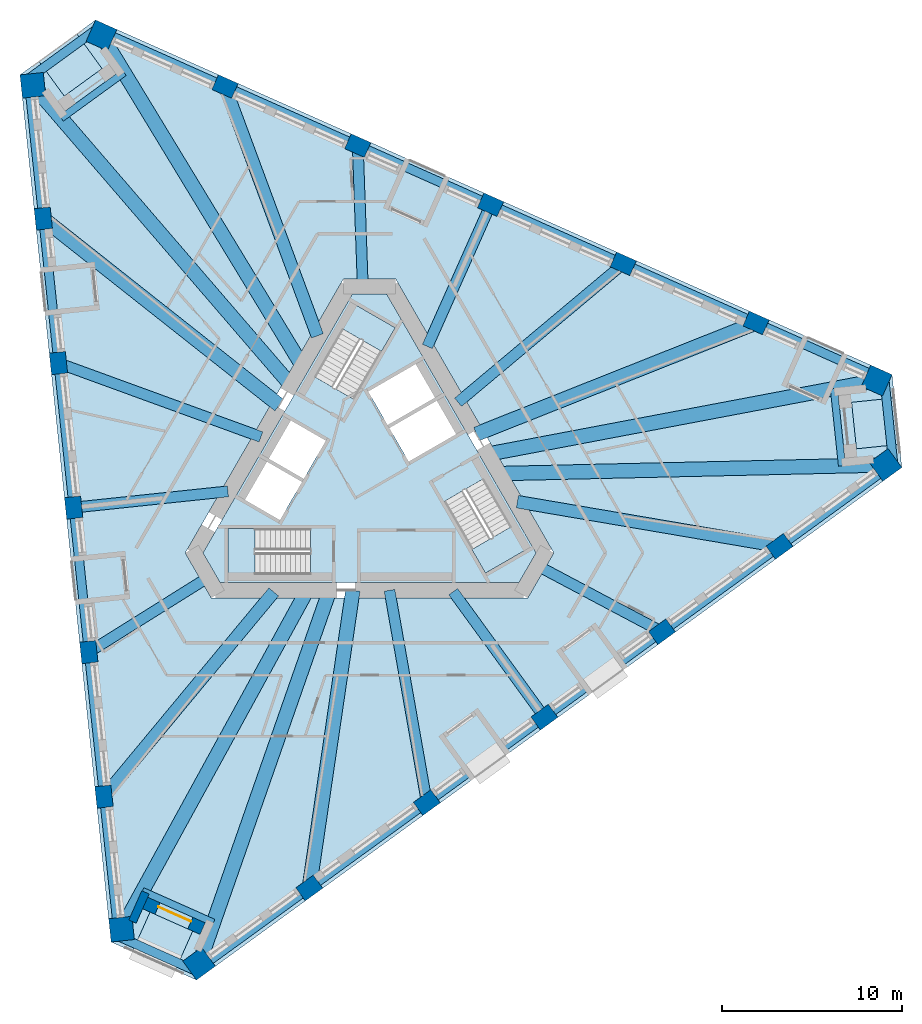
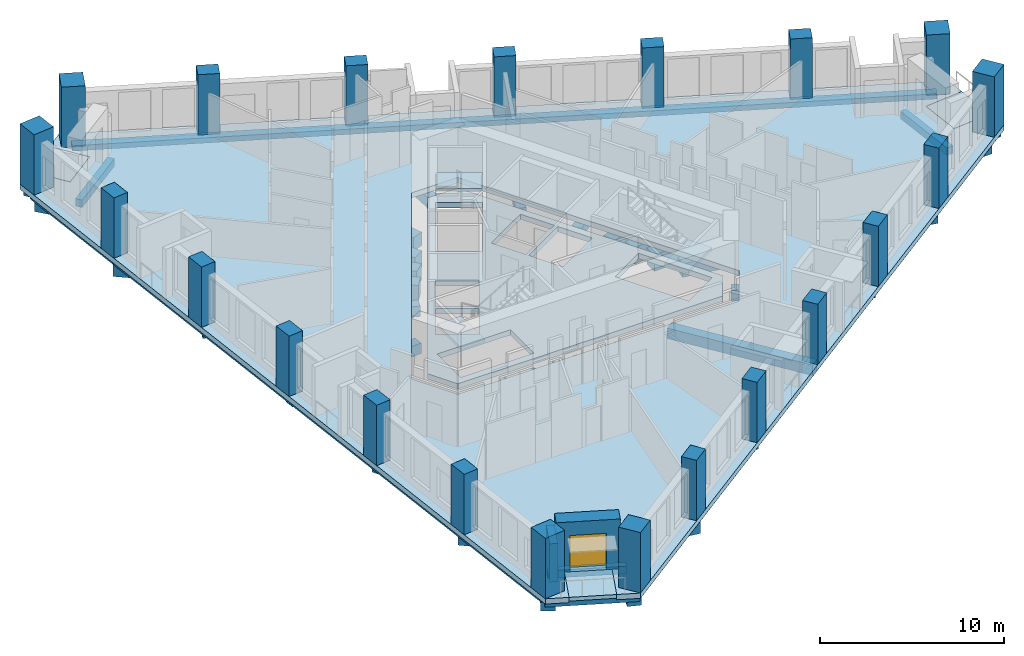
# One storey, part 1 of 14: 30 beams, 21 columns, 8 slabs, 2 walls, 1 door, 1 opening, 3 elements without a shape of their own.
"""IFC4 building model written with IfcOpenShell, lengths in metres."""

from ifc_helpers import new_model, si_unit, direction, frame, frame_2d, origin, origin_2d, place, context, subcontext, project, spatial, polyline, rectangle, outline, extrude, material, layer, layer_set, material_profile, profile_set, type_object, element, fill, aggregate, save


model = new_model("IFC4")

# Units and contexts
model_context = context("Model", 3, precision=1e-05, world=origin(), true_north=direction((0.0, 1.0)))
body_context = subcontext(model_context, "Body", "Model", "MODEL_VIEW")
ifc_project = project(units=[si_unit("LENGTHUNIT", "METRE"), si_unit("AREAUNIT", "SQUARE_METRE"), si_unit("VOLUMEUNIT", "CUBIC_METRE"), si_unit("PLANEANGLEUNIT", "RADIAN"), si_unit("MASSUNIT", "GRAM", prefix="KILO")], contexts=[model_context])

# Site, building, storey
site_placement = place(None, origin())
site = spatial("IfcSite", under=ifc_project, at=site_placement, CompositionType="ELEMENT")
building_placement = place(site_placement, origin())
building = spatial("IfcBuilding", under=site, at=building_placement, Name="Tramontana Tower", CompositionType="ELEMENT")
storey_placement = place(building_placement, frame((0.0, 0.0, 166.800048828125)))
storey = spatial("IfcBuildingStorey", under=building, at=storey_placement, Name="L38", CompositionType="ELEMENT", Elevation=166.800048828125)

# Columns
ifc_material_1 = material(Name="Concrete 55 MPa", Category="concrete")
ifc_material_profile_1 = material_profile(ifc_material_1, rectangle(XDim=1.300048828125, YDim=1.300048828125, at=origin_2d()), Name="Mega column 1300X1300 55 MPa")
ifc_profile_set_1 = profile_set([ifc_material_profile_1], Name="Concrete 55 MPa")
column_type_1 = type_object("IfcColumnType", Name="Mega column 1300X1300 55 MPa", PredefinedType="COLUMN", material=ifc_profile_set_1)
for number, where, z_axis, x_axis, name in (
    (1, (-18.72705078125, 21.760498046875, 0.0), (0.0, 0.0, 1.0), (0.104528463268, -0.994521895368, 0.0), "Mega column C4K1 L38"),
    (2, (-13.793701171875, -25.178466796875, 0.0), (0.0, 0.0, 1.0), (0.104528463268, -0.994521895368, 0.0), "Mega column C4K2 L38"),
    (3, (-9.4814453125, -27.098388671875, 0.0), (0.0, 0.0, 1.0), (0.809016994375, 0.587785252292, 0.0), "Mega column C4K3 L38"),
    (4, (28.7021484375, 0.6435546875, 0.0), (0.0, 0.0, 1.0), (0.809016994375, 0.587785252292, 0.0), "Mega column C4K4 L38"),
    (5, (28.208740234375, 5.337890625, 0.0), (0.0, 0.0, 1.0), (-0.913545457643, 0.406736643076, 0.0), "Mega column C4K5 L38"),
    (6, (-14.908447265625, 24.534912109375, 0.0), (0.0, 0.0, 1.0), (-0.913545457643, 0.406736643076, 0.0), "Mega column C4K6 L38"),
):
    element("IfcColumn", number, at=place(storey_placement, frame(where, z_axis=z_axis, x_axis=x_axis)), inside=storey, type_object=column_type_1, Name=name, PredefinedType="COLUMN", context=body_context, shape_type="SweptSolid", body=[
        extrude(rectangle(XDim=1.300048828125, YDim=1.300048828125, at=origin_2d()), origin(), (0.0, 0.0, 1.0), 4.0),
    ])
ifc_material_2 = material(Name="Concrete 55 MPa", Category="concrete")
ifc_material_profile_2 = material_profile(ifc_material_2, rectangle(XDim=1.199951171875, YDim=0.89990234375, at=origin_2d()), Name="Pier column 1200X900 55 MPa")
ifc_profile_set_2 = profile_set([ifc_material_profile_2], Name="Concrete 55 MPa")
column_type_2 = type_object("IfcColumnType", Name="Pier column 1200X900 55 MPa", PredefinedType="COLUMN", material=ifc_profile_set_2)
for number, where, z_axis, x_axis, name in (
    (7, (-18.149169921875, 14.347412109375, 0.0), (0.0, 0.0, 1.0), (0.104528463268, -0.994521895368, 0.0), "Pier column C4F01 L38"),
    (8, (-17.30419921875, 6.30859375, 0.0), (0.0, 0.0, 1.0), (0.104528463268, -0.994521895368, 0.0), "Pier column C4F02 L38"),
    (9, (-16.459228515625, -1.72998046875, 0.0), (0.0, 0.0, 1.0), (0.104528463268, -0.994521895368, 0.0), "Pier column C4F03 L38"),
    (10, (-15.614501953125, -9.7685546875, 0.0), (0.0, 0.0, 1.0), (0.104528463268, -0.994521895368, 0.0), "Pier column C4F04 L38"),
    (11, (-14.76953125, -17.80712890625, 0.0), (0.0, 0.0, 1.0), (0.104528463268, -0.994521895368, 0.0), "Pier column C4F05 L38"),
    (12, (-3.3505859375, -22.891357421875, 0.0), (0.0, 0.0, 1.0), (0.809016994375, 0.587785252292, 0.0), "Pier column C4F06 L38"),
    (13, (3.188720703125, -18.14013671875, 0.0), (0.0, 0.0, 1.0), (0.809016994375, 0.587785252292, 0.0), "Pier column C4F07 L38"),
    (14, (9.727783203125, -13.38916015625, 0.0), (0.0, 0.0, 1.0), (0.809016994375, 0.587785252292, 0.0), "Pier column C4F08 L38"),
    (15, (16.26708984375, -8.63818359375, 0.0), (0.0, 0.0, 1.0), (0.809016994375, 0.587785252292, 0.0), "Pier column C4F09 L38"),
    (16, (22.80615234375, -3.88720703125, 0.0), (0.0, 0.0, 1.0), (0.809016994375, 0.587785252292, 0.0), "Pier column C4F10 L38"),
    (17, (21.499755859375, 8.5439453125, 0.0), (0.0, 0.0, 1.0), (-0.913545457643, 0.406736643076, 0.0), "Pier column C4F11 L38"),
    (18, (14.115478515625, 11.83154296875, 0.0), (0.0, 0.0, 1.0), (-0.913545457643, 0.406736643076, 0.0), "Pier column C4F12 L38"),
    (19, (6.7314453125, 15.119140625, 0.0), (0.0, 0.0, 1.0), (-0.913545457643, 0.406736643076, 0.0), "Pier column C4F13 L38"),
    (20, (-0.652587890625, 18.40673828125, 0.0), (0.0, 0.0, 1.0), (-0.913545457643, 0.406736643076, 0.0), "Pier column C4F14 L38"),
    (21, (-8.03662109375, 21.6943359375, 0.0), (0.0, 0.0, 1.0), (-0.913545457643, 0.406736643076, 0.0), "Pier column C4F15 L38"),
):
    element("IfcColumn", number, at=place(storey_placement, frame(where, z_axis=z_axis, x_axis=x_axis)), inside=storey, type_object=column_type_2, Name=name, PredefinedType="COLUMN", context=body_context, shape_type="SweptSolid", body=[
        extrude(rectangle(XDim=1.199951171875, YDim=0.89990234375, at=origin_2d()), origin(), (0.0, 0.0, 1.0), 4.0),
    ])

# Beams
ifc_material_3 = material(Name="Concrete 40 MPa", Category="concrete")
ifc_material_profile_3 = material_profile(ifc_material_3, rectangle(XDim=0.5, YDim=0.35009765625, at=origin_2d()), Name="RC EDGE BEAM 500X350 40 MPa")
ifc_profile_set_3 = profile_set([ifc_material_profile_3], Name="Concrete 40 MPa")
beam_type_1 = type_object("IfcBeamType", Name="RC EDGE BEAM 500X350 40 MPa", PredefinedType="SPANDREL", material=ifc_profile_set_3)
for number, where, z_axis, x_axis, name in (
    (22, (-18.926025390625, 21.739501953125, -0.525146484375), (0.104525646884, -0.994522191378, 0.0), (0.994522191378, 0.104525646884, 0.0), "Spandrel beam S0 L38"),
    (23, (-9.364013671875, -27.26025390625, -0.525146484375), (0.809017612716, 0.587784401218, 0.0), (-0.587784401218, 0.809017612716, 0.0), "Spandrel beam S1 L38"),
):
    element("IfcBeam", number, at=place(storey_placement, frame(where, z_axis=z_axis, x_axis=x_axis)), inside=storey, type_object=beam_type_1, Name=name, PredefinedType="SPANDREL", context=body_context, shape_type="SweptSolid", body=[
        extrude(rectangle(XDim=0.5, YDim=0.35009765625, at=origin_2d()), origin(), (0.0, 0.0, 1.0), 47.197509765625),
    ])
beam_1_placement = place(storey_placement, frame((28.2900390625, 5.520751953125, -0.525146484375), z_axis=(-0.913546423332, 0.406734474095, 0.0), x_axis=(-0.406734474095, -0.913546423332, 0.0)))
element("IfcBeam", 24, at=beam_1_placement, inside=storey, type_object=beam_type_1, Name="Spandrel beam S2 L38", PredefinedType="SPANDREL", context=body_context, shape_type="SweptSolid", body=[
    extrude(rectangle(XDim=0.5, YDim=0.35009765625, at=origin_2d()), origin(), (0.0, 0.0, 1.0), 47.197265625),
])
beam_2_placement = place(storey_placement, frame((-14.973388671875, 25.029052734375, -0.525146484375), z_axis=(-0.809008263593, -0.587797268995, 0.0), x_axis=(0.587797268995, -0.809008263593, 0.0)))
element("IfcBeam", 25, at=beam_2_placement, inside=storey, type_object=beam_type_1, Name="Spandrel beam K0 L38", PredefinedType="SPANDREL", context=body_context, shape_type="SweptSolid", body=[
    extrude(rectangle(XDim=0.5, YDim=0.35009765625, at=origin_2d()), origin(), (0.0, 0.0, 1.0), 5.196044921875),
])
for number, where, z_axis, x_axis, name in (
    (26, (-14.189208984375, -25.481689453125, -0.525146484375), (0.91354592127, -0.40673560175, 0.0), (0.40673560175, 0.91354592127, 0.0), "Spandrel beam K1 L38"),
    (27, (29.162353515625, 0.45263671875, -0.525146484375), (-0.104494011766, 0.994525515764, 0.0), (-0.994525515764, -0.104494011766, 0.0), "Spandrel beam K2 L38"),
):
    element("IfcBeam", number, at=place(storey_placement, frame(where, z_axis=z_axis, x_axis=x_axis)), inside=storey, type_object=beam_type_1, Name=name, PredefinedType="SPANDREL", context=body_context, shape_type="SweptSolid", body=[
        extrude(rectangle(XDim=0.5, YDim=0.35009765625, at=origin_2d()), origin(), (0.0, 0.0, 1.0), 5.1962890625),
    ])
ifc_material_4 = material(Name="Concrete 40 MPa", Category="concrete")
ifc_material_profile_4 = material_profile(ifc_material_4, rectangle(XDim=0.60009765625, YDim=0.699951171875, at=origin_2d()), Name="RC GIRDER 600X700 40 MPa")
ifc_profile_set_4 = profile_set([ifc_material_profile_4], Name="Concrete 40 MPa")
beam_type_2 = type_object("IfcBeamType", Name="RC GIRDER 600X700 40 MPa", PredefinedType="BEAM", material=ifc_profile_set_4)
beam_3_placement = place(storey_placement, frame((-17.30419921875, 6.30859375, -0.699951171875), z_axis=(0.939513090247, -0.342512997205, 0.0), x_axis=(0.342512997205, 0.939513090247, 0.0)))
element("IfcBeam", 28, at=beam_3_placement, inside=storey, type_object=beam_type_2, Name="Radial girder C4F02 L38", PredefinedType="BEAM", context=body_context, shape_type="SweptSolid", body=[
    extrude(rectangle(XDim=0.60009765625, YDim=0.699951171875, at=origin_2d()), origin(), (0.0, 0.0, 1.0), 11.989990234375),
])
beam_4_placement = place(storey_placement, frame((-16.459228515625, -1.72998046875, -0.699951171875), z_axis=(0.994520630985, 0.104540492367, 0.0), x_axis=(-0.104540492367, 0.994520630985, 0.0)))
element("IfcBeam", 29, at=beam_4_placement, inside=storey, type_object=beam_type_2, Name="Radial girder C4F03 L38", PredefinedType="BEAM", context=body_context, shape_type="SweptSolid", body=[
    extrude(rectangle(XDim=0.60009765625, YDim=0.699951171875, at=origin_2d()), origin(), (0.0, 0.0, 1.0), 8.631591796875),
])
beam_5_placement = place(storey_placement, frame((-15.614501953125, -9.7685546875, -0.699951171875), z_axis=(0.847767192537, 0.530368539091, 0.0), x_axis=(-0.530368539091, 0.847767192537, 0.0)))
element("IfcBeam", 30, at=beam_5_placement, inside=storey, type_object=beam_type_2, Name="Radial girder C4F04 L38", PredefinedType="BEAM", context=body_context, shape_type="SweptSolid", body=[
    extrude(rectangle(XDim=0.60009765625, YDim=0.699951171875, at=origin_2d()), origin(), (0.0, 0.0, 1.0), 7.83642578125),
])
beam_6_placement = place(storey_placement, frame((3.188720703125, -18.14013671875, -0.699951171875), z_axis=(-0.173139447083, 0.984897320467, 0.0), x_axis=(-0.984897320467, -0.173139447083, 0.0)))
element("IfcBeam", 31, at=beam_6_placement, inside=storey, type_object=beam_type_2, Name="Radial girder C4F07 L38", PredefinedType="BEAM", context=body_context, shape_type="SweptSolid", body=[
    extrude(rectangle(XDim=0.60009765625, YDim=0.699951171875, at=origin_2d()), origin(), (0.0, 0.0, 1.0), 11.989990234375),
])
beam_7_placement = place(storey_placement, frame((9.727783203125, -13.38916015625, -0.699951171875), z_axis=(-0.587793224159, 0.809011202415, 0.0), x_axis=(-0.809011202415, -0.587793224159, 0.0)))
element("IfcBeam", 32, at=beam_7_placement, inside=storey, type_object=beam_type_2, Name="Radial girder C4F08 L38", PredefinedType="BEAM", context=body_context, shape_type="SweptSolid", body=[
    extrude(rectangle(XDim=0.60009765625, YDim=0.699951171875, at=origin_2d()), origin(), (0.0, 0.0, 1.0), 8.63134765625),
])
beam_8_placement = place(storey_placement, frame((16.26708984375, -8.63818359375, -0.699951171875), z_axis=(-0.883198396805, 0.468999564905, 0.0), x_axis=(-0.468999564905, -0.883198396805, 0.0)))
element("IfcBeam", 33, at=beam_8_placement, inside=storey, type_object=beam_type_2, Name="Radial girder C4F09 L38", PredefinedType="BEAM", context=body_context, shape_type="SweptSolid", body=[
    extrude(rectangle(XDim=0.60009765625, YDim=0.699951171875, at=origin_2d()), origin(), (0.0, 0.0, 1.0), 7.83642578125),
])
beam_9_placement = place(storey_placement, frame((14.115478515625, 11.83154296875, -0.699951171875), z_axis=(-0.766377147971, -0.642390898961, 0.0), x_axis=(0.642390898961, -0.766377147971, 0.0)))
element("IfcBeam", 34, at=beam_9_placement, inside=storey, type_object=beam_type_2, Name="Radial girder C4F12 L38", PredefinedType="BEAM", context=body_context, shape_type="SweptSolid", body=[
    extrude(rectangle(XDim=0.60009765625, YDim=0.699951171875, at=origin_2d()), origin(), (0.0, 0.0, 1.0), 11.98974609375),
])
beam_10_placement = place(storey_placement, frame((6.7314453125, 15.119140625, -0.699951171875), z_axis=(-0.406736735655, -0.913545416424, 0.0), x_axis=(0.913545416424, -0.406736735655, 0.0)))
element("IfcBeam", 35, at=beam_10_placement, inside=storey, type_object=beam_type_2, Name="Radial girder C4F13 L38", PredefinedType="BEAM", context=body_context, shape_type="SweptSolid", body=[
    extrude(rectangle(XDim=0.60009765625, YDim=0.699951171875, at=origin_2d()), origin(), (0.0, 0.0, 1.0), 8.631591796875),
])
beam_11_placement = place(storey_placement, frame((-0.652587890625, 18.40673828125, -0.699951171875), z_axis=(0.035422608777, -0.999372422467, 0.0), x_axis=(0.999372422467, 0.035422608777, 0.0)))
element("IfcBeam", 36, at=beam_11_placement, inside=storey, type_object=beam_type_2, Name="Radial girder C4F14 L38", PredefinedType="BEAM", context=body_context, shape_type="SweptSolid", body=[
    extrude(rectangle(XDim=0.60009765625, YDim=0.699951171875, at=origin_2d()), origin(), (0.0, 0.0, 1.0), 7.83642578125),
])
ifc_material_5 = material(Name="Concrete 40 MPa", Category="concrete")
ifc_material_profile_5 = material_profile(ifc_material_5, rectangle(XDim=0.699951171875, YDim=0.89990234375, at=origin_2d()), Name="RC GIRDER 700X900 40 MPa")
ifc_profile_set_5 = profile_set([ifc_material_profile_5], Name="Concrete 40 MPa")
beam_type_3 = type_object("IfcBeamType", Name="RC GIRDER 700X900 40 MPa", PredefinedType="BEAM", material=ifc_profile_set_5)
for number, where, z_axis, x_axis, name in (
    (37, (-14.76953125, -17.80712890625, -0.800048828125), (0.638406477844, 0.769699401745, 0.0), (-0.769699401745, 0.638406477844, 0.0), "Radial girder C4F05 L38"),
    (38, (22.806396484375, -3.88720703125, -0.800048828125), (-0.985783673381, 0.168019490821, 0.0), (-0.168019490821, -0.985783673381, 0.0), "Radial girder C4F10 L38"),
    (39, (-8.03662109375, 21.6943359375, -0.800048828125), (0.347381556139, -0.93772386898, 0.0), (0.93772386898, 0.347381556139, 0.0), "Radial girder C4F15 L38"),
):
    element("IfcBeam", number, at=place(storey_placement, frame(where, z_axis=z_axis, x_axis=x_axis)), inside=storey, type_object=beam_type_3, Name=name, PredefinedType="BEAM", context=body_context, shape_type="SweptSolid", body=[
        extrude(rectangle(XDim=0.699951171875, YDim=0.89990234375, at=origin_2d()), origin(), (0.0, 0.0, 1.0), 14.79052734375),
    ])
ifc_material_6 = material(Name="Concrete 40 MPa", Category="concrete")
ifc_material_profile_6 = material_profile(ifc_material_6, rectangle(XDim=0.800048828125, YDim=1.10009765625, at=origin_2d()), Name="RC GIRDER 800X1100 40 MPa")
ifc_profile_set_6 = profile_set([ifc_material_profile_6], Name="Concrete 40 MPa")
beam_type_4 = type_object("IfcBeamType", Name="RC GIRDER 800X1100 40 MPa", PredefinedType="BEAM", material=ifc_profile_set_6)
beam_12_placement = place(storey_placement, frame((-18.727294921875, 21.760498046875, -0.900146484375), z_axis=(0.652300085393, -0.757960816004, 0.0), x_axis=(0.757960816004, 0.652300085393, 0.0)))
element("IfcBeam", 40, at=beam_12_placement, inside=storey, type_object=beam_type_4, Name="Radial girder C4K1 L38", PredefinedType="BEAM", context=body_context, shape_type="SweptSolid", body=[
    extrude(rectangle(XDim=0.800048828125, YDim=1.10009765625, at=origin_2d()), origin(), (0.0, 0.0, 1.0), 21.983154296875),
])
beam_13_placement = place(storey_placement, frame((-18.149169921875, 14.347412109375, -0.900146484375), z_axis=(0.784478628915, -0.620155852005, 0.0), x_axis=(0.620155852005, 0.784478628915, 0.0)))
element("IfcBeam", 41, at=beam_13_placement, inside=storey, type_object=beam_type_4, Name="Radial girder C4F01 L38", PredefinedType="BEAM", context=body_context, shape_type="SweptSolid", body=[
    extrude(rectangle(XDim=0.800048828125, YDim=1.10009765625, at=origin_2d()), origin(), (0.0, 0.0, 1.0), 16.73828125),
])
beam_14_placement = place(storey_placement, frame((-13.793701171875, -25.178466796875, -0.900146484375), z_axis=(0.480462301802, 0.877015379881, 0.0), x_axis=(-0.877015379881, 0.480462301802, 0.0)))
element("IfcBeam", 42, at=beam_14_placement, inside=storey, type_object=beam_type_4, Name="Radial girder C4K2 L38", PredefinedType="BEAM", context=body_context, shape_type="SweptSolid", body=[
    extrude(rectangle(XDim=0.800048828125, YDim=1.10009765625, at=origin_2d()), origin(), (0.0, 0.0, 1.0), 21.437744140625),
])
beam_15_placement = place(storey_placement, frame((-9.4814453125, -27.098388671875, -0.900146484375), z_axis=(0.330256430983, 0.943891248924, 0.0), x_axis=(-0.943891248924, 0.330256430983, 0.0)))
element("IfcBeam", 43, at=beam_15_placement, inside=storey, type_object=beam_type_4, Name="Radial girder C4K3 L38", PredefinedType="BEAM", context=body_context, shape_type="SweptSolid", body=[
    extrude(rectangle(XDim=0.800048828125, YDim=1.10009765625, at=origin_2d()), origin(), (0.0, 0.0, 1.0), 21.98291015625),
])
beam_16_placement = place(storey_placement, frame((-3.3505859375, -22.891357421875, -0.900146484375), z_axis=(0.144822515675, 0.989457648893, 0.0), x_axis=(-0.989457648893, 0.144822515675, 0.0)))
element("IfcBeam", 44, at=beam_16_placement, inside=storey, type_object=beam_type_4, Name="Radial girder C4F06 L38", PredefinedType="BEAM", context=body_context, shape_type="SweptSolid", body=[
    extrude(rectangle(XDim=0.800048828125, YDim=1.10009765625, at=origin_2d()), origin(), (0.0, 0.0, 1.0), 16.73828125),
])
beam_17_placement = place(storey_placement, frame((28.701904296875, 0.6435546875, -0.900146484375), z_axis=(-0.999748807881, -0.022412521973, 0.0), x_axis=(0.022412521973, -0.999748807881, 0.0)))
element("IfcBeam", 45, at=beam_17_placement, inside=storey, type_object=beam_type_4, Name="Radial girder C4K4 L38", PredefinedType="BEAM", context=body_context, shape_type="SweptSolid", body=[
    extrude(rectangle(XDim=0.800048828125, YDim=1.10009765625, at=origin_2d()), origin(), (0.0, 0.0, 1.0), 21.4375),
])
beam_18_placement = place(storey_placement, frame((28.20849609375, 5.337890625, -0.900146484375), z_axis=(-0.982562021037, -0.185935136045, 0.0), x_axis=(0.185935136045, -0.982562021037, 0.0)))
element("IfcBeam", 46, at=beam_18_placement, inside=storey, type_object=beam_type_4, Name="Radial girder C4K5 L38", PredefinedType="BEAM", context=body_context, shape_type="SweptSolid", body=[
    extrude(rectangle(XDim=0.800048828125, YDim=1.10009765625, at=origin_2d()), origin(), (0.0, 0.0, 1.0), 21.98291015625),
])
beam_19_placement = place(storey_placement, frame((21.499755859375, 8.5439453125, -0.900146484375), z_axis=(-0.929307244414, -0.369307521558, 0.0), x_axis=(0.369307521558, -0.929307244414, 0.0)))
element("IfcBeam", 47, at=beam_19_placement, inside=storey, type_object=beam_type_4, Name="Radial girder C4F11 L38", PredefinedType="BEAM", context=body_context, shape_type="SweptSolid", body=[
    extrude(rectangle(XDim=0.800048828125, YDim=1.10009765625, at=origin_2d()), origin(), (0.0, 0.0, 1.0), 16.738525390625),
])
beam_20_placement = place(storey_placement, frame((-14.908447265625, 24.534912109375, -0.900146484375), z_axis=(0.519297566275, -0.854593492639, 0.0), x_axis=(0.854593492639, 0.519297566275, 0.0)))
element("IfcBeam", 48, at=beam_20_placement, inside=storey, type_object=beam_type_4, Name="Radial girder C4K6 L38", PredefinedType="BEAM", context=body_context, shape_type="SweptSolid", body=[
    extrude(rectangle(XDim=0.800048828125, YDim=1.10009765625, at=origin_2d()), origin(), (0.0, 0.0, 1.0), 21.437744140625),
])
ifc_material_7 = material(Name="Concrete 40 MPa", Category="concrete")
ifc_material_profile_7 = material_profile(ifc_material_7, rectangle(XDim=0.39990234375, YDim=0.5, at=origin_2d()), Name="RC TRIM BEAM 400X500 40 MPa")
ifc_profile_set_7 = profile_set([ifc_material_profile_7], Name="Concrete 40 MPa")
beam_type_5 = type_object("IfcBeamType", Name="RC TRIM BEAM 400X500 40 MPa", PredefinedType="JOIST", material=ifc_profile_set_7)
for number, where, z_axis, x_axis, name in (
    (49, (-13.651611328125, 22.466552734375, -0.60009765625), (-0.808997350037, -0.587812289453, 0.0), (0.587812289453, -0.808997350037, 0.0), "Trimmer beam K0 L38"),
    (50, (-12.630859375, -23.055908203125, -0.60009765625), (0.913548159873, -0.406730573714, 0.0), (0.406730573714, 0.913548159873, 0.0), "Trimmer beam K1 L38"),
):
    element("IfcBeam", number, at=place(storey_placement, frame(where, z_axis=z_axis, x_axis=x_axis)), inside=storey, type_object=beam_type_5, Name=name, PredefinedType="JOIST", context=body_context, shape_type="SweptSolid", body=[
        extrude(rectangle(XDim=0.39990234375, YDim=0.5, at=origin_2d()), origin(), (0.0, 0.0, 1.0), 4.322509765625),
    ])
beam_21_placement = place(storey_placement, frame((26.282470703125, 0.58935546875, -0.60009765625), z_axis=(-0.104552471013, 0.99451937176, 0.0), x_axis=(-0.99451937176, -0.104552471013, 0.0)))
element("IfcBeam", 51, at=beam_21_placement, inside=storey, type_object=beam_type_5, Name="Trimmer beam K2 L38", PredefinedType="JOIST", context=body_context, shape_type="SweptSolid", body=[
    extrude(rectangle(XDim=0.39990234375, YDim=0.5, at=origin_2d()), origin(), (0.0, 0.0, 1.0), 4.322265625),
])

# Slabs
ifc_material_8 = material(Name="Precast concrete 50 MPa", Category="concrete")
ifc_layer_1 = layer(ifc_material_8, 0.25)
ifc_layer_set_1 = layer_set([ifc_layer_1], Name="LT1 Loggia floor tray 250")
slab_type_1 = type_object("IfcSlabType", Name="LT1 Loggia floor tray 250", PredefinedType="FLOOR", material=ifc_layer_set_1)
slab_1_placement = place(storey_placement, frame((0.0, 0.0, -0.25)))
element("IfcSlab", 52, at=slab_1_placement, inside=storey, type_object=slab_type_1, Name="Corner loggia floor L38 K40", PredefinedType="FLOOR", context=body_context, shape_type="SweptSolid", body=[
    extrude(outline(polyline([(-16.287841796875, 24.630126953125), (-14.877197265625, 22.6884765625), (-16.980712890625, 21.16015625), (-18.391357421875, 23.101806640625), (-16.287841796875, 24.630126953125)])), origin(), (0.0, 0.0, 1.0), 0.25),
])
slab_2_placement = place(storey_placement, frame((0.0, 0.0, -0.25)))
element("IfcSlab", 53, at=slab_2_placement, inside=storey, type_object=slab_type_1, Name="Corner loggia floor L38 K41", PredefinedType="FLOOR", context=body_context, shape_type="SweptSolid", body=[
    extrude(outline(polyline([(-13.186279296875, -26.4208984375), (-12.210205078125, -24.228271484375), (-9.8349609375, -25.285888671875), (-10.81103515625, -27.478271484375), (-13.186279296875, -26.4208984375)])), origin(), (0.0, 0.0, 1.0), 0.25),
])
slab_3_placement = place(storey_placement, frame((0.0, 0.0, -0.25)))
element("IfcSlab", 54, at=slab_3_placement, inside=storey, type_object=slab_type_1, Name="Corner loggia floor L38 K42", PredefinedType="FLOOR", context=body_context, shape_type="SweptSolid", body=[
    extrude(outline(polyline([(29.474365234375, 1.790771484375), (27.08740234375, 1.539794921875), (26.815673828125, 4.12548828125), (29.202392578125, 4.37646484375), (29.474365234375, 1.790771484375)])), origin(), (0.0, 0.0, 1.0), 0.25),
])
ifc_material_9 = material(Name="Concrete 40 MPa", Category="concrete")
ifc_layer_2 = layer(ifc_material_9, 0.35009765625)
ifc_layer_set_2 = layer_set([ifc_layer_2], Name="PT FLAT SLAB 350 40 MPa")
slab_type_2 = type_object("IfcSlabType", Name="PT FLAT SLAB 350 40 MPa", PredefinedType="FLOOR", material=ifc_layer_set_2)
slab_4_placement = place(storey_placement, frame((0.0, 0.0, -0.35009765625)))
element("IfcSlab", 55, at=slab_4_placement, inside=storey, type_object=slab_type_2, Name="Floor slab L38", PredefinedType="FLOOR", context=body_context, shape_type="SweptSolid", body=[
    extrude(outline(polyline([(29.202392578125, 4.37646484375), (26.815673828125, 4.12548828125), (27.08740234375, 1.539794921875), (29.474365234375, 1.790771484375), (29.610107421875, 0.499755859375), (-9.625244140625, -28.00634765625), (-10.81103515625, -27.478271484375), (-9.8349609375, -25.285888671875), (-12.210205078125, -24.228271484375), (-13.186279296875, -26.4208984375), (-14.372314453125, -25.892822265625), (-19.441650390625, 22.3388671875), (-18.391357421875, 23.101806640625), (-16.980712890625, 21.16015625), (-14.877197265625, 22.6884765625), (-16.287841796875, 24.630126953125), (-15.23779296875, 25.39306640625), (29.06689453125, 5.66748046875), (29.202392578125, 4.37646484375)]), holes=[polyline([(-10.248046875, -4.25), (-8.8046875, -6.75), (8.8046875, -6.75), (10.248046875, -4.25), (1.443359375, 11.0), (-1.443359375, 11.0), (-10.248046875, -4.25)])]), origin(), (0.0, 0.0, 1.0), 0.35009765625),
])
slab_5_placement = place(storey_placement, frame((0.0, 0.0, -0.35009765625)))
element("IfcSlab", 56, at=slab_5_placement, inside=storey, type_object=slab_type_2, Name="Core floor slab L38", PredefinedType="FLOOR", context=body_context, shape_type="SweptSolid", body=[
    extrude(outline(polyline([(9.2666015625, -4.25), (8.313720703125, -5.89990234375), (-8.313720703125, -5.89990234375), (-9.2666015625, -4.25), (-0.95263671875, 10.14990234375), (0.95263671875, 10.14990234375), (9.2666015625, -4.25)]), holes=[polyline([(8.659912109375, -4.099365234375), (6.35986328125, -0.115478515625), (4.151611328125, -1.390625), (6.451416015625, -5.374267578125), (8.659912109375, -4.099365234375)]), polyline([(3.829833984375, 4.2666015625), (1.101806640625, 2.69140625), (2.177001953125, 0.82958984375), (4.90478515625, 2.404541015625), (3.829833984375, 4.2666015625)]), polyline([(2.65478515625, 6.3017578125), (-0.072998046875, 4.726806640625), (1.001953125, 2.86474609375), (3.729736328125, 4.439697265625), (2.65478515625, 6.3017578125)]), polyline([(-0.77978515625, 9.54931640625), (-3.079833984375, 5.565673828125), (-0.87158203125, 4.29052734375), (1.428466796875, 8.2744140625), (-0.77978515625, 9.54931640625)]), polyline([(-5.689697265625, 1.044921875), (-3.65478515625, -0.130126953125), (-2.4296875, 1.99169921875), (-4.46484375, 3.166748046875), (-5.689697265625, 1.044921875)]), polyline([(-3.280029296875, -5.449951171875), (-3.280029296875, -2.89990234375), (-7.8798828125, -2.89990234375), (-7.8798828125, -5.449951171875), (-3.280029296875, -5.449951171875)]), polyline([(-7.014892578125, -1.25), (-4.979736328125, -2.425048828125), (-3.754638671875, -0.30322265625), (-5.789794921875, 0.87158203125), (-7.014892578125, -1.25)])]), origin(), (0.0, 0.0, 1.0), 0.35009765625),
])

# Stair, slab
ifc_material_10 = material(Name="Concrete 40 MPa", Category="concrete")
stair_type = type_object("IfcStairType", Name="EXIT STAIR 24 RISERS", PredefinedType="HALF_TURN_STAIR", material=ifc_material_10)
stair_1_placement = place(storey_placement, origin())
stair_1 = element("IfcStair", 57, at=stair_1_placement, inside=storey, type_object=stair_type, Name="L38 Exit stair ST1", PredefinedType="HALF_TURN_STAIR")
ifc_material_11 = material(Name="Concrete 40 MPa", Category="concrete")
ifc_layer_3 = layer(ifc_material_11, 0.199951171875)
ifc_layer_set_3 = layer_set([ifc_layer_3], Name="STAIR LANDING 200")
slab_type_3 = type_object("IfcSlabType", Name="STAIR LANDING 200", PredefinedType="LANDING", material=ifc_layer_set_3)
slab_6_placement = place(storey_placement, frame((0.0, 0.0, 1.800048828125)))
slab_6 = element("IfcSlab", 58, at=slab_6_placement, type_object=slab_type_3, Name="ST1 landing 1", PredefinedType="LANDING", context=body_context, shape_type="SweptSolid", body=[
    extrude(outline(polyline([(0.66845703125, 6.9580078125), (1.428466796875, 8.274169921875), (-0.77978515625, 9.54931640625), (-1.539794921875, 8.23291015625), (0.66845703125, 6.9580078125)])), origin(), (0.0, 0.0, 1.0), 0.199951171875),
])
aggregate(stair_1, [slab_6])

stair_2_placement = place(storey_placement, origin())
stair_2 = element("IfcStair", 59, at=stair_2_placement, inside=storey, type_object=stair_type, Name="L38 Exit stair ST2", PredefinedType="HALF_TURN_STAIR")
slab_7_placement = place(storey_placement, frame((0.0, 0.0, 1.800048828125)))
slab_7 = element("IfcSlab", 60, at=slab_7_placement, type_object=slab_type_3, Name="ST2 landing 1", PredefinedType="LANDING", context=body_context, shape_type="SweptSolid", body=[
    extrude(outline(polyline([(-6.360107421875, -2.89990234375), (-7.8798828125, -2.89990234375), (-7.8798828125, -5.449951171875), (-6.360107421875, -5.449951171875), (-6.360107421875, -2.89990234375)])), origin(), (0.0, 0.0, 1.0), 0.199951171875),
])
aggregate(stair_2, [slab_7])

stair_3_placement = place(storey_placement, origin())
stair_3 = element("IfcStair", 61, at=stair_3_placement, inside=storey, type_object=stair_type, Name="L38 Exit stair ST3", PredefinedType="HALF_TURN_STAIR")
slab_8_placement = place(storey_placement, frame((0.0, 0.0, 1.800048828125)))
slab_8 = element("IfcSlab", 62, at=slab_8_placement, type_object=slab_type_3, Name="ST3 landing 1", PredefinedType="LANDING", context=body_context, shape_type="SweptSolid", body=[
    extrude(outline(polyline([(5.69140625, -4.057861328125), (6.451416015625, -5.374267578125), (8.659912109375, -4.099365234375), (7.89990234375, -2.782958984375), (5.69140625, -4.057861328125)])), origin(), (0.0, 0.0, 1.0), 0.199951171875),
])
aggregate(stair_3, [slab_8])

# Wall
ifc_material_12 = material(Name="Precast concrete 60 MPa", Category="concrete")
ifc_layer_4 = layer(ifc_material_12, 0.449951171875)
ifc_layer_set_4 = layer_set([ifc_layer_4], Name="Precast concrete 60 MPa, 450 mm")
wall_type_1 = type_object("IfcWallType", Name="EW1 Stone-faced precast wall 450", PredefinedType="SOLIDWALL", material=ifc_layer_set_4)
wall_1_placement = place(storey_placement, frame((-13.184326171875, -24.757080078125, 0.0), z_axis=(0.0, 0.0, 1.0), x_axis=(0.406698557215, 0.913562413609, 0.0)))
element("IfcWall", 63, at=wall_1_placement, inside=storey, type_object=wall_type_1, Name="Corner loggia side wall L38 K41r", PredefinedType="SOLIDWALL", context=body_context, shape_type="SweptSolid", body=[
    extrude(rectangle(XDim=1.779296875, YDim=0.449951171875, at=frame_2d((0.8896484375, 0.0))), origin(), (0.0, 0.0, 1.0), 2.550048828125),
])

# Wall, opening, door
ifc_material_13 = material(Name="Precast concrete 60 MPa", Category="concrete")
ifc_layer_5 = layer(ifc_material_13, 0.89990234375)
ifc_layer_set_5 = layer_set([ifc_layer_5], Name="EW2 Stone-faced corner loggia wall 900")
wall_type_2 = type_object("IfcWallType", Name="EW2 Stone-faced corner loggia wall 900", PredefinedType="SOLIDWALL", material=ifc_layer_set_5)
wall_2_placement = place(storey_placement, frame((-9.24072265625, -25.057861328125, 0.0), z_axis=(0.0, 0.0, 1.0), x_axis=(-0.913549606868, 0.406727323635, 0.0)))
wall_2 = element("IfcWall", 64, at=wall_2_placement, inside=storey, type_object=wall_type_2, Name="Corner loggia wall L38 K41", PredefinedType="SOLIDWALL", context=body_context, shape_type="SweptSolid", body=[
    extrude(rectangle(XDim=3.5, YDim=0.89990234375, at=frame_2d((1.75, 0.0))), origin(), (0.0, 0.0, 1.0), 3.300048828125),
])
opening_placement = place(wall_2_placement, frame((0.75, 0.0, 0.0)))
opening = element("IfcOpeningElement", 65, at=opening_placement, cuts=wall_2, Name="Opening BD-41C", PredefinedType="OPENING", context=body_context, shape_type="SweptSolid", body=[
    extrude(rectangle(XDim=2.0, YDim=2.39990234375, at=frame_2d((1.0, 1.199951171875))), frame((0.0, 0.4599609375, 0.0), z_axis=(0.0, -1.0, 0.0), x_axis=(1.0, 0.0, 0.0)), (0.0, 0.0, 1.0), 0.919921875),
])
ifc_material_14 = material(Name="Aluminum frame, double glazing unit", Category="aluminium")
door_type = type_object("IfcDoorType", Name="BC1 Sliding door 2 x 2.4", OperationType="SLIDING_TO_LEFT", PredefinedType="DOOR", material=ifc_material_14)
door_placement = place(opening_placement, origin())
door = element("IfcDoor", 66, at=door_placement, inside=storey, type_object=door_type, Name="Corner loggia door L38 K41", OperationType="SLIDING_TO_LEFT", OverallHeight=2.39990234375, OverallWidth=2.0, PredefinedType="DOOR", context=body_context, shape_type="SweptSolid", body=[
    extrude(rectangle(XDim=2.0, YDim=2.39990234375, at=frame_2d((1.0, 1.199951171875))), frame((0.0, 0.02490234375, 0.0), z_axis=(0.0, -1.0, 0.0), x_axis=(1.0, 0.0, 0.0)), (0.0, 0.0, 1.0), 0.050048828125),
])
fill(opening, door)

save(model, "model.ifc")
